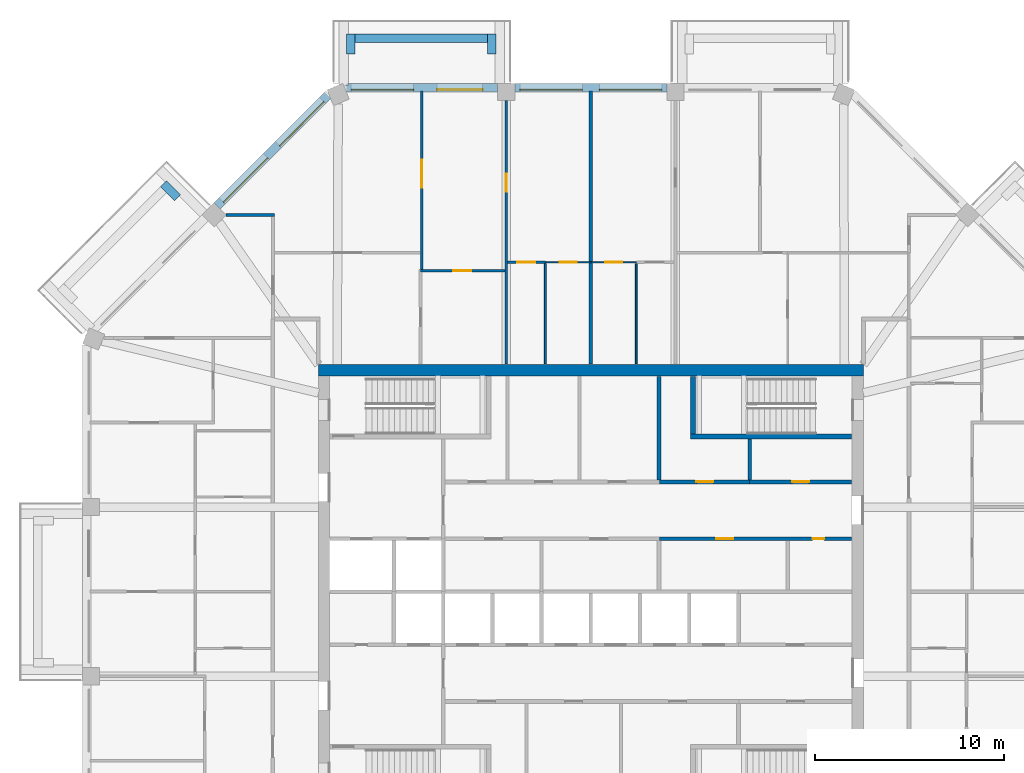
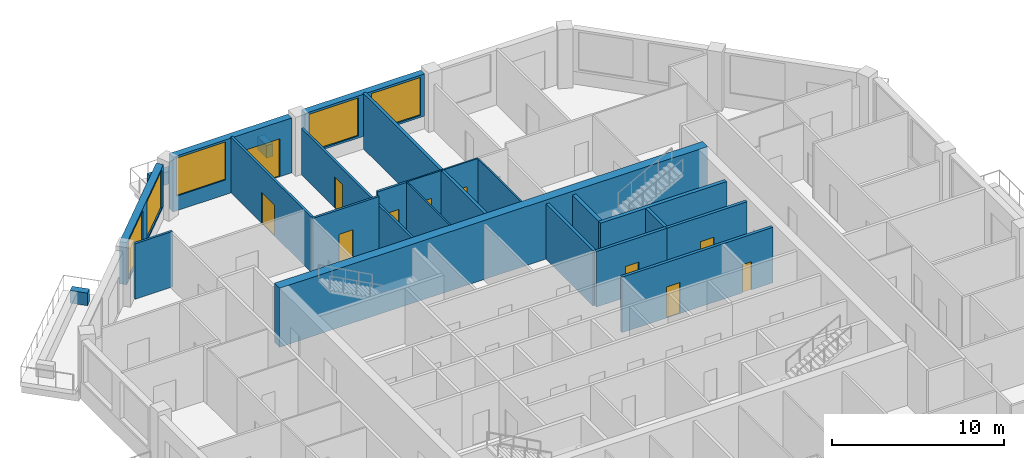
# One storey, part 8 of 12: 25 walls, 11 doors, 5 windows, 16 openings.
"""IFC4 building model written with IfcOpenShell, lengths in metres."""

from ifc_helpers import new_model, si_unit, direction, frame, frame_2d, origin, place, context, subcontext, project, spatial, rectangle, extrude, material, layer, layer_set, type_object, element, fill, save


model = new_model("IFC4")

# Units and contexts
model_context = context("Model", 3, precision=1e-05, world=origin(), true_north=direction((0.0, 1.0)))
body_context = subcontext(model_context, "Body", "Model", "MODEL_VIEW")
ifc_project = project(units=[si_unit("LENGTHUNIT", "METRE"), si_unit("AREAUNIT", "SQUARE_METRE"), si_unit("VOLUMEUNIT", "CUBIC_METRE"), si_unit("PLANEANGLEUNIT", "RADIAN"), si_unit("MASSUNIT", "GRAM", prefix="KILO")], contexts=[model_context])

# Site, building, storey
site_placement = place(None, origin())
site = spatial("IfcSite", under=ifc_project, at=site_placement, CompositionType="ELEMENT")
building_placement = place(site_placement, origin())
building = spatial("IfcBuilding", under=site, at=building_placement, Name="Msitu Wima Residences", CompositionType="ELEMENT")
storey_placement = place(building_placement, frame((0.0, 0.0, 251.699951171875)))
storey = spatial("IfcBuildingStorey", under=building, at=storey_placement, Name="L58", CompositionType="ELEMENT", Elevation=251.699951171875)

# Walls
ifc_material_1 = material(Name="Facing brick")
ifc_layer_1 = layer(ifc_material_1, 0.06494140625, Name="Facing brick")
ifc_material_2 = material(Name="Concrete C40/50", Category="concrete")
ifc_layer_2 = layer(ifc_material_2, 0.156005859375, Name="Concrete C40/50")
ifc_material_3 = material(Name="Waterproofing membrane")
ifc_layer_3 = layer(ifc_material_3, 0.00390625, Name="Waterproofing membrane")
ifc_material_4 = material(Name="Planting soil and planting")
ifc_layer_4 = layer(ifc_material_4, 0.22509765625, Name="Planting soil and planting")
ifc_layer_set_1 = layer_set([ifc_layer_1, ifc_layer_2, ifc_layer_3, ifc_layer_4], Name="Concrete C40/50")
wall_type_1 = type_object("IfcWallType", Name="Balcony planter PLANTER PL450", PredefinedType="USERDEFINED", material=ifc_layer_set_1)
wall_1_placement = place(storey_placement, frame((-5.468505859375, 29.22509765625, 0.0), z_axis=(0.0, 0.0, 1.0), x_axis=(-1.0, 0.0, 0.0)))
element("IfcWall", 1, at=wall_1_placement, inside=storey, type_object=wall_type_1, Name="Balcony planter N2 L58", ObjectType="PLANTER", PredefinedType="USERDEFINED", context=body_context, shape_type="SweptSolid", body=[
    extrude(rectangle(XDim=6.9873046875, YDim=0.449951171875, at=frame_2d((3.49365234375, 0.0))), origin(), (0.0, 0.0, 1.0), 0.900146484375),
])
for number, where, z_axis, x_axis, name in (
    (2, (-5.24365234375, 28.39990234375, 0.0), (0.0, 0.0, 1.0), (0.0, 1.0, 0.0), "Balcony planter N2 L58"),
    (3, (-12.680908203125, 28.39990234375, 0.0), (0.0, 0.0, 1.0), (0.0, 1.0, 0.0), "Balcony planter N2 L58"),
    (4, (-21.829833984375, 20.804443359375, 0.0), (0.0, 0.0, 1.0), (-0.707106781187, 0.707106781187, 0.0), "Balcony planter NW1 L58"),
):
    element("IfcWall", number, at=place(storey_placement, frame(where, z_axis=z_axis, x_axis=x_axis)), inside=storey, type_object=wall_type_1, Name=name, ObjectType="PLANTER", PredefinedType="USERDEFINED", context=body_context, shape_type="SweptSolid", body=[
        extrude(rectangle(XDim=1.050048828125, YDim=0.449951171875, at=frame_2d((0.52490234375, 0.0))), origin(), (0.0, 0.0, 1.0), 0.900146484375),
    ])

# Wall, openings, windows
ifc_material_5 = material(Name="Brick (red buff mix)", Category="masonry")
ifc_layer_5 = layer(ifc_material_5, 0.449951171875)
ifc_layer_set_2 = layer_set([ifc_layer_5], Name="Brick (red buff mix)")
wall_type_2 = type_object("IfcWallType", Name="Brick infill wall BW450", PredefinedType="SOLIDWALL", material=ifc_layer_set_2)
wall_2_placement = place(storey_placement, frame((4.0185546875, 26.625, 0.900146484375), z_axis=(0.0, 0.0, 1.0), x_axis=(-1.0, 0.0, 0.0)))
wall_2 = element("IfcWall", 5, at=wall_2_placement, inside=storey, type_object=wall_type_2, Name="Brick infill wall L58 N1", PredefinedType="SOLIDWALL", context=body_context, shape_type="SweptSolid", body=[
    extrude(rectangle(XDim=8.037109375, YDim=0.449951171875, at=frame_2d((4.0185546875, 0.0))), origin(), (0.0, 0.0, 1.0), 3.0),
])
opening_1_placement = place(wall_2_placement, frame((0.2685546875, 0.0, 0.14990234375)))
opening_1 = element("IfcOpeningElement", 6, at=opening_1_placement, cuts=wall_2, Name="Opening W57-59.007", PredefinedType="OPENING", context=body_context, shape_type="SweptSolid", body=[
    extrude(rectangle(XDim=3.300048828125, YDim=2.699951171875, at=frame_2d((1.64990234375, 1.35009765625))), frame((0.0, 0.23486328125, 0.0), z_axis=(0.0, -1.0, 0.0), x_axis=(1.0, 0.0, 0.0)), (0.0, 0.0, 1.0), 0.469970703125),
])
opening_2_placement = place(wall_2_placement, frame((4.46875, 0.0, 0.14990234375)))
opening_2 = element("IfcOpeningElement", 7, at=opening_2_placement, cuts=wall_2, Name="Opening W57-59.008", PredefinedType="OPENING", context=body_context, shape_type="SweptSolid", body=[
    extrude(rectangle(XDim=3.300048828125, YDim=2.699951171875, at=frame_2d((1.64990234375, 1.35009765625))), frame((0.0, 0.23486328125, 0.0), z_axis=(0.0, -1.0, 0.0), x_axis=(1.0, 0.0, 0.0)), (0.0, 0.0, 1.0), 0.469970703125),
])
ifc_material_6 = material(Name="Anodised aluminium, bronze finish, clear low-emissivity double glazing", Category="aluminium")
window_type = type_object("IfcWindowType", Name="Window W3300x2700", PartitioningType="DOUBLE_PANEL_VERTICAL", PredefinedType="WINDOW", material=ifc_material_6)
window_1_placement = place(opening_1_placement, origin())
window_1 = element("IfcWindow", 8, at=window_1_placement, inside=storey, type_object=window_type, Name="Window L58 N1.1", OverallHeight=2.699951171875, OverallWidth=3.300048828125, PartitioningType="SINGLE_PANEL", PredefinedType="WINDOW", context=body_context, shape_type="SweptSolid", body=[
    extrude(rectangle(XDim=3.300048828125, YDim=2.699951171875, at=frame_2d((1.64990234375, 1.35009765625))), frame((0.0, 0.135009765625, 0.0), z_axis=(0.0, -1.0, 0.0), x_axis=(1.0, 0.0, 0.0)), (0.0, 0.0, 1.0), 0.06005859375),
])
fill(opening_1, window_1)
window_2_placement = place(opening_2_placement, origin())
window_2 = element("IfcWindow", 9, at=window_2_placement, inside=storey, type_object=window_type, Name="Window L58 N1.2", OverallHeight=2.699951171875, OverallWidth=3.300048828125, PartitioningType="SINGLE_PANEL", PredefinedType="WINDOW", context=body_context, shape_type="SweptSolid", body=[
    extrude(rectangle(XDim=3.300048828125, YDim=2.699951171875, at=frame_2d((1.64990234375, 1.35009765625))), frame((0.0, 0.135009765625, 0.0), z_axis=(0.0, -1.0, 0.0), x_axis=(1.0, 0.0, 0.0)), (0.0, 0.0, 1.0), 0.06005859375),
])
fill(opening_2, window_2)

# Wall, openings, door, window
wall_3_placement = place(storey_placement, frame((-4.918701171875, 26.625, 0.0), z_axis=(0.0, 0.0, 1.0), x_axis=(-1.0, 0.0, 0.0)))
wall_3 = element("IfcWall", 10, at=wall_3_placement, inside=storey, type_object=wall_type_2, Name="Brick infill wall L58 N2", PredefinedType="SOLIDWALL", context=body_context, shape_type="SweptSolid", body=[
    extrude(rectangle(XDim=8.0, YDim=0.449951171875, at=frame_2d((4.0, 0.0))), origin(), (0.0, 0.0, 1.0), 3.900146484375),
])
opening_3_placement = place(wall_3_placement, frame((0.800048828125, 0.0, 0.0)))
opening_3 = element("IfcOpeningElement", 11, at=opening_3_placement, cuts=wall_3, Name="Opening D57-59.003", PredefinedType="OPENING", context=body_context, shape_type="SweptSolid", body=[
    extrude(rectangle(XDim=2.39990234375, YDim=2.699951171875, at=frame_2d((1.199951171875, 1.35009765625))), frame((0.0, 0.23486328125, 0.0), z_axis=(0.0, -1.0, 0.0), x_axis=(1.0, 0.0, 0.0)), (0.0, 0.0, 1.0), 0.469970703125),
])
opening_4_placement = place(wall_3_placement, frame((4.4501953125, 0.0, 1.050048828125)))
opening_4 = element("IfcOpeningElement", 12, at=opening_4_placement, cuts=wall_3, Name="Opening W57-59.009", PredefinedType="OPENING", context=body_context, shape_type="SweptSolid", body=[
    extrude(rectangle(XDim=3.300048828125, YDim=2.699951171875, at=frame_2d((1.64990234375, 1.35009765625))), frame((0.0, 0.23486328125, 0.0), z_axis=(0.0, -1.0, 0.0), x_axis=(1.0, 0.0, 0.0)), (0.0, 0.0, 1.0), 0.469970703125),
])
door_type_1 = type_object("IfcDoorType", Name="Balcony door D2400x2700", OperationType="SLIDING_TO_LEFT", PredefinedType="DOOR", material=ifc_material_6)
door_1_placement = place(opening_3_placement, origin())
door_1 = element("IfcDoor", 13, at=door_1_placement, inside=storey, type_object=door_type_1, Name="Balcony door L58 N2", OperationType="SINGLE_SWING_LEFT", OverallHeight=2.699951171875, OverallWidth=2.39990234375, PredefinedType="DOOR", context=body_context, shape_type="SweptSolid", body=[
    extrude(rectangle(XDim=2.39990234375, YDim=2.699951171875, at=frame_2d((1.199951171875, 1.35009765625))), frame((0.0, 0.1298828125, 0.0), z_axis=(0.0, -1.0, 0.0), x_axis=(1.0, 0.0, 0.0)), (0.0, 0.0, 1.0), 0.050048828125),
])
fill(opening_3, door_1)
window_3_placement = place(opening_4_placement, origin())
window_3 = element("IfcWindow", 14, at=window_3_placement, inside=storey, type_object=window_type, Name="Window L58 N2.2", OverallHeight=2.699951171875, OverallWidth=3.300048828125, PartitioningType="SINGLE_PANEL", PredefinedType="WINDOW", context=body_context, shape_type="SweptSolid", body=[
    extrude(rectangle(XDim=3.300048828125, YDim=2.699951171875, at=frame_2d((1.64990234375, 1.35009765625))), frame((0.0, 0.135009765625, 0.0), z_axis=(0.0, -1.0, 0.0), x_axis=(1.0, 0.0, 0.0)), (0.0, 0.0, 1.0), 0.06005859375),
])
fill(opening_4, window_3)

# Wall, openings, windows
wall_4_placement = place(storey_placement, frame((-13.909423828125, 26.214599609375, 0.900146484375), z_axis=(0.0, 0.0, 1.0), x_axis=(-0.707106781187, -0.707106781187, 0.0)))
wall_4 = element("IfcWall", 15, at=wall_4_placement, inside=storey, type_object=wall_type_2, Name="Brick infill wall L58 NW0", PredefinedType="SOLIDWALL", context=body_context, shape_type="SweptSolid", body=[
    extrude(rectangle(XDim=8.251220703125, YDim=0.449951171875, at=frame_2d((4.12548828125, 0.0))), origin(), (0.0, 0.0, 1.0), 3.0),
])
opening_5_placement = place(wall_4_placement, frame((0.37548828125, 0.0, 0.14990234375)))
opening_5 = element("IfcOpeningElement", 16, at=opening_5_placement, cuts=wall_4, Name="Opening W57-59.013", PredefinedType="OPENING", context=body_context, shape_type="SweptSolid", body=[
    extrude(rectangle(XDim=3.300048828125, YDim=2.699951171875, at=frame_2d((1.64990234375, 1.35009765625))), frame((0.0, 0.23486328125, 0.0), z_axis=(0.0, -1.0, 0.0), x_axis=(1.0, 0.0, 0.0)), (0.0, 0.0, 1.0), 0.469970703125),
])
opening_6_placement = place(wall_4_placement, frame((4.57568359375, 0.0, 0.14990234375)))
opening_6 = element("IfcOpeningElement", 17, at=opening_6_placement, cuts=wall_4, Name="Opening W57-59.014", PredefinedType="OPENING", context=body_context, shape_type="SweptSolid", body=[
    extrude(rectangle(XDim=3.300048828125, YDim=2.699951171875, at=frame_2d((1.64990234375, 1.35009765625))), frame((0.0, 0.23486328125, 0.0), z_axis=(0.0, -1.0, 0.0), x_axis=(1.0, 0.0, 0.0)), (0.0, 0.0, 1.0), 0.469970703125),
])
window_4_placement = place(opening_5_placement, origin())
window_4 = element("IfcWindow", 18, at=window_4_placement, inside=storey, type_object=window_type, Name="Window L58 NW0.1", OverallHeight=2.699951171875, OverallWidth=3.300048828125, PartitioningType="SINGLE_PANEL", PredefinedType="WINDOW", context=body_context, shape_type="SweptSolid", body=[
    extrude(rectangle(XDim=3.300048828125, YDim=2.699951171875, at=frame_2d((1.64990234375, 1.35009765625))), frame((0.0, 0.135009765625, 0.0), z_axis=(0.0, -1.0, 0.0), x_axis=(1.0, 0.0, 0.0)), (0.0, 0.0, 1.0), 0.06005859375),
])
fill(opening_5, window_4)
window_5_placement = place(opening_6_placement, origin())
window_5 = element("IfcWindow", 19, at=window_5_placement, inside=storey, type_object=window_type, Name="Window L58 NW0.2", OverallHeight=2.699951171875, OverallWidth=3.300048828125, PartitioningType="SINGLE_PANEL", PredefinedType="WINDOW", context=body_context, shape_type="SweptSolid", body=[
    extrude(rectangle(XDim=3.300048828125, YDim=2.699951171875, at=frame_2d((1.64990234375, 1.35009765625))), frame((0.0, 0.135009765625, 0.0), z_axis=(0.0, -1.0, 0.0), x_axis=(1.0, 0.0, 0.0)), (0.0, 0.0, 1.0), 0.06005859375),
])
fill(opening_6, window_5)

# Wall
ifc_material_7 = material(Name="Concrete C50/60", Category="concrete")
ifc_layer_6 = layer(ifc_material_7, 0.60009765625)
ifc_layer_set_3 = layer_set([ifc_layer_6], Name="Concrete C50/60")
wall_type_3 = type_object("IfcWallType", Name="Core wall CW600 C50/60", PredefinedType="SHEAR", material=ifc_layer_set_3)
wall_5_placement = place(storey_placement, frame((-14.39990234375, 11.699951171875, 0.0), z_axis=(0.0, 0.0, 1.0), x_axis=(1.0, 0.0, 0.0)))
element("IfcWall", 20, at=wall_5_placement, inside=storey, type_object=wall_type_3, Name="Core wall", PredefinedType="SHEAR", context=body_context, shape_type="SweptSolid", body=[
    extrude(rectangle(XDim=28.7998046875, YDim=0.60009765625, at=frame_2d((14.39990234375, 0.0))), origin(), (0.0, 0.0, 1.0), 4.199951171875),
])

# Wall, opening, door
ifc_material_8 = material(Name="Plaster")
ifc_layer_7 = layer(ifc_material_8, 0.011962890625, Name="Plaster")
ifc_material_9 = material(Name="Concrete blockwork", Category="masonry")
ifc_layer_8 = layer(ifc_material_9, 0.176025390625, Name="Concrete blockwork")
ifc_layer_9 = layer(ifc_material_8, 0.011962890625, Name="Plaster")
ifc_layer_set_4 = layer_set([ifc_layer_7, ifc_layer_8, ifc_layer_9], Name="Concrete blockwork")
wall_type_4 = type_object("IfcWallType", Name="Corridor wall FW200", PredefinedType="PARTITIONING", material=ifc_layer_set_4)
wall_6_placement = place(storey_placement, frame((8.3798828125, 5.800048828125, 0.0), z_axis=(0.0, 0.0, 1.0), x_axis=(1.0, 0.0, 0.0)))
wall_6 = element("IfcWall", 21, at=wall_6_placement, inside=storey, type_object=wall_type_4, Name="Corridor wall", PredefinedType="PARTITIONING", context=body_context, shape_type="SweptSolid", body=[
    extrude(rectangle(XDim=5.39013671875, YDim=0.199951171875, at=frame_2d((2.695068359375, 0.0))), origin(), (0.0, 0.0, 1.0), 3.949951171875),
])
opening_7_placement = place(wall_6_placement, frame((2.25, 0.0, 0.0)))
opening_7 = element("IfcOpeningElement", 22, at=opening_7_placement, cuts=wall_6, Name="Opening D57-59.072", PredefinedType="OPENING", context=body_context, shape_type="SweptSolid", body=[
    extrude(rectangle(XDim=0.89990234375, YDim=2.199951171875, at=frame_2d((0.449951171875, 1.10009765625))), frame((0.0, 0.10986328125, 0.0), z_axis=(0.0, -1.0, 0.0), x_axis=(1.0, 0.0, 0.0)), (0.0, 0.0, 1.0), 0.219970703125),
])
ifc_material_10 = material(Name="Timber flush door", Category="wood")
door_type_2 = type_object("IfcDoorType", Name="Service door D05 900x2200", OperationType="SINGLE_SWING_LEFT", PredefinedType="DOOR", material=ifc_material_10)
door_2_placement = place(opening_7_placement, origin())
door_2 = element("IfcDoor", 23, at=door_2_placement, inside=storey, type_object=door_type_2, Name="Service door", OperationType="SINGLE_SWING_LEFT", OverallHeight=2.199951171875, OverallWidth=0.89990234375, PredefinedType="DOOR", context=body_context, shape_type="SweptSolid", body=[
    extrude(rectangle(XDim=0.89990234375, YDim=2.199951171875, at=frame_2d((0.449951171875, 1.10009765625))), frame((0.0, 0.02490234375, 0.0), z_axis=(0.0, -1.0, 0.0), x_axis=(1.0, 0.0, 0.0)), (0.0, 0.0, 1.0), 0.050048828125),
])
fill(opening_7, door_2)

# Wall
ifc_layer_10 = layer(ifc_material_8, 0.011962890625, Name="Plaster")
ifc_layer_11 = layer(ifc_material_9, 0.1259765625, Name="Concrete blockwork")
ifc_layer_12 = layer(ifc_material_8, 0.011962890625, Name="Plaster")
ifc_layer_set_5 = layer_set([ifc_layer_10, ifc_layer_11, ifc_layer_12], Name="Concrete blockwork")
wall_type_5 = type_object("IfcWallType", Name="Partition PW150", PredefinedType="PARTITIONING", material=ifc_layer_set_5)
wall_7_placement = place(storey_placement, frame((-19.2666015625, 19.90283203125, 0.0), z_axis=(0.0, 0.0, 1.0), x_axis=(1.0, 0.0, 0.0)))
element("IfcWall", 24, at=wall_7_placement, inside=storey, type_object=wall_type_5, Name="Partition", PredefinedType="PARTITIONING", context=body_context, shape_type="SweptSolid", body=[
    extrude(rectangle(XDim=2.54150390625, YDim=0.14990234375, at=frame_2d((1.270751953125, 0.0))), origin(), (0.0, 0.0, 1.0), 3.949951171875),
])

# Wall, opening, door
wall_8_placement = place(storey_placement, frame((-8.937255859375, 17.02490234375, 0.0), z_axis=(0.0, 0.0, 1.0), x_axis=(0.0, 1.0, 0.0)))
wall_8 = element("IfcWall", 25, at=wall_8_placement, inside=storey, type_object=wall_type_5, Name="Partition", PredefinedType="PARTITIONING", context=body_context, shape_type="SweptSolid", body=[
    extrude(rectangle(XDim=9.43017578125, YDim=0.14990234375, at=frame_2d((4.715087890625, 0.0))), origin(), (0.0, 0.0, 1.0), 3.949951171875),
])
opening_8_placement = place(wall_8_placement, frame((4.300048828125, 0.0, 0.0)))
opening_8 = element("IfcOpeningElement", 26, at=opening_8_placement, cuts=wall_8, Name="Opening D57-59.035", PredefinedType="OPENING", context=body_context, shape_type="SweptSolid", body=[
    extrude(rectangle(XDim=1.5, YDim=2.199951171875, at=frame_2d((0.75, 1.10009765625))), frame((0.0, 0.0849609375, 0.0), z_axis=(0.0, -1.0, 0.0), x_axis=(1.0, 0.0, 0.0)), (0.0, 0.0, 1.0), 0.169921875),
])
ifc_material_11 = material(Name="Timber double door", Category="wood")
door_type_3 = type_object("IfcDoorType", Name="Double door D04 1500x2200", OperationType="DOUBLE_DOOR_SINGLE_SWING", PredefinedType="DOOR", material=ifc_material_11)
door_3_placement = place(opening_8_placement, origin())
door_3 = element("IfcDoor", 27, at=door_3_placement, inside=storey, type_object=door_type_3, Name="Double door", OperationType="DOUBLE_DOOR_SINGLE_SWING", OverallHeight=2.199951171875, OverallWidth=1.5, PredefinedType="DOOR", context=body_context, shape_type="SweptSolid", body=[
    extrude(rectangle(XDim=1.5, YDim=2.199951171875, at=frame_2d((0.75, 1.10009765625))), frame((0.0, 0.02490234375, 0.0), z_axis=(0.0, -1.0, 0.0), x_axis=(1.0, 0.0, 0.0)), (0.0, 0.0, 1.0), 0.050048828125),
])
fill(opening_8, door_3)

wall_9_placement = place(storey_placement, frame((-9.01220703125, 16.949951171875, 0.0), z_axis=(0.0, 0.0, 1.0), x_axis=(1.0, 0.0, 0.0)))
wall_9 = element("IfcWall", 28, at=wall_9_placement, inside=storey, type_object=wall_type_5, Name="Partition", PredefinedType="PARTITIONING", context=body_context, shape_type="SweptSolid", body=[
    extrude(rectangle(XDim=4.468505859375, YDim=0.14990234375, at=frame_2d((2.234375, 0.0))), origin(), (0.0, 0.0, 1.0), 3.949951171875),
])
opening_9_placement = place(wall_9_placement, frame((1.75, 0.0, 0.0)))
opening_9 = element("IfcOpeningElement", 29, at=opening_9_placement, cuts=wall_9, Name="Opening D57-59.042", PredefinedType="OPENING", context=body_context, shape_type="SweptSolid", body=[
    extrude(rectangle(XDim=0.949951171875, YDim=2.199951171875, at=frame_2d((0.47509765625, 1.10009765625))), frame((0.0, 0.0849609375, 0.0), z_axis=(0.0, -1.0, 0.0), x_axis=(1.0, 0.0, 0.0)), (0.0, 0.0, 1.0), 0.169921875),
])
door_type_4 = type_object("IfcDoorType", Name="Room door D12 950x2200", OperationType="SINGLE_SWING_LEFT", PredefinedType="DOOR", material=ifc_material_10)
door_4_placement = place(opening_9_placement, origin())
door_4 = element("IfcDoor", 30, at=door_4_placement, inside=storey, type_object=door_type_4, Name="Room door", OperationType="SINGLE_SWING_LEFT", OverallHeight=2.199951171875, OverallWidth=0.949951171875, PredefinedType="DOOR", context=body_context, shape_type="SweptSolid", body=[
    extrude(rectangle(XDim=0.949951171875, YDim=2.199951171875, at=frame_2d((0.47509765625, 1.10009765625))), frame((0.0, 0.02490234375, 0.0), z_axis=(0.0, -1.0, 0.0), x_axis=(1.0, 0.0, 0.0)), (0.0, 0.0, 1.0), 0.050048828125),
])
fill(opening_9, door_4)

wall_10_placement = place(storey_placement, frame((-4.46875, 12.030029296875, 0.0), z_axis=(0.0, 0.0, 1.0), x_axis=(0.0, 1.0, 0.0)))
wall_10 = element("IfcWall", 31, at=wall_10_placement, inside=storey, type_object=wall_type_5, Name="Partition", PredefinedType="PARTITIONING", context=body_context, shape_type="SweptSolid", body=[
    extrude(rectangle(XDim=13.919921875, YDim=0.14990234375, at=frame_2d((6.9599609375, 0.0))), origin(), (0.0, 0.0, 1.0), 3.300048828125),
])
opening_10_placement = place(wall_10_placement, frame((9.10009765625, 0.0, 0.0)))
opening_10 = element("IfcOpeningElement", 32, at=opening_10_placement, cuts=wall_10, Name="Opening D57-59.039", PredefinedType="OPENING", context=body_context, shape_type="SweptSolid", body=[
    extrude(rectangle(XDim=0.949951171875, YDim=2.199951171875, at=frame_2d((0.47509765625, 1.10009765625))), frame((0.0, 0.0849609375, 0.0), z_axis=(0.0, -1.0, 0.0), x_axis=(1.0, 0.0, 0.0)), (0.0, 0.0, 1.0), 0.169921875),
])
door_5_placement = place(opening_10_placement, origin())
door_5 = element("IfcDoor", 33, at=door_5_placement, inside=storey, type_object=door_type_4, Name="Room door", OperationType="SINGLE_SWING_RIGHT", OverallHeight=2.199951171875, OverallWidth=0.949951171875, PredefinedType="DOOR", context=body_context, shape_type="SweptSolid", body=[
    extrude(rectangle(XDim=0.949951171875, YDim=2.199951171875, at=frame_2d((0.47509765625, 1.10009765625))), frame((0.0, 0.02490234375, 0.0), z_axis=(0.0, -1.0, 0.0), x_axis=(1.0, 0.0, 0.0)), (0.0, 0.0, 1.0), 0.050048828125),
])
fill(opening_10, door_5)

wall_11_placement = place(storey_placement, frame((-4.3935546875, 17.39990234375, 0.0), z_axis=(0.0, 0.0, 1.0), x_axis=(1.0, 0.0, 0.0)))
wall_11 = element("IfcWall", 34, at=wall_11_placement, inside=storey, type_object=wall_type_5, Name="Partition", PredefinedType="PARTITIONING", context=body_context, shape_type="SweptSolid", body=[
    extrude(rectangle(XDim=1.99365234375, YDim=0.14990234375, at=frame_2d((0.996826171875, 0.0))), origin(), (0.0, 0.0, 1.0), 3.949951171875),
])
opening_11_placement = place(wall_11_placement, frame((0.5, 0.0, 0.0)))
opening_11 = element("IfcOpeningElement", 35, at=opening_11_placement, cuts=wall_11, Name="Opening D57-59.041", PredefinedType="OPENING", context=body_context, shape_type="SweptSolid", body=[
    extrude(rectangle(XDim=0.949951171875, YDim=2.199951171875, at=frame_2d((0.47509765625, 1.10009765625))), frame((0.0, 0.0849609375, 0.0), z_axis=(0.0, -1.0, 0.0), x_axis=(1.0, 0.0, 0.0)), (0.0, 0.0, 1.0), 0.169921875),
])
door_6_placement = place(opening_11_placement, origin())
door_6 = element("IfcDoor", 36, at=door_6_placement, inside=storey, type_object=door_type_4, Name="Room door", OperationType="SINGLE_SWING_LEFT", OverallHeight=2.199951171875, OverallWidth=0.949951171875, PredefinedType="DOOR", context=body_context, shape_type="SweptSolid", body=[
    extrude(rectangle(XDim=0.949951171875, YDim=2.199951171875, at=frame_2d((0.47509765625, 1.10009765625))), frame((0.0, 0.02490234375, 0.0), z_axis=(0.0, -1.0, 0.0), x_axis=(1.0, 0.0, 0.0)), (0.0, 0.0, 1.0), 0.050048828125),
])
fill(opening_11, door_6)

# Wall
ifc_layer_13 = layer(ifc_material_8, 0.011962890625, Name="Plaster")
ifc_material_12 = material(Name="Dense concrete blockwork", Category="masonry")
ifc_layer_14 = layer(ifc_material_12, 0.176025390625, Name="Dense concrete blockwork")
ifc_layer_15 = layer(ifc_material_8, 0.011962890625, Name="Plaster")
ifc_layer_set_6 = layer_set([ifc_layer_13, ifc_layer_14, ifc_layer_15], Name="Dense concrete blockwork")
wall_type_6 = type_object("IfcWallType", Name="Party wall PW200", PredefinedType="PARTITIONING", material=ifc_layer_set_6)
wall_12_placement = place(storey_placement, frame((0.0, 12.030029296875, 0.0), z_axis=(0.0, 0.0, 1.0), x_axis=(0.0, 1.0, 0.0)))
element("IfcWall", 37, at=wall_12_placement, inside=storey, type_object=wall_type_6, Name="Party wall", PredefinedType="PARTITIONING", context=body_context, shape_type="SweptSolid", body=[
    extrude(rectangle(XDim=14.425048828125, YDim=0.199951171875, at=frame_2d((7.21240234375, 0.0))), origin(), (0.0, 0.0, 1.0), 3.949951171875),
])

# Wall, openings, doors
ifc_layer_16 = layer(ifc_material_8, 0.011962890625, Name="Plaster")
ifc_material_13 = material(Name="Reinforced concrete blockwork", Category="masonry")
ifc_layer_17 = layer(ifc_material_13, 0.176025390625, Name="Reinforced concrete blockwork")
ifc_layer_18 = layer(ifc_material_8, 0.011962890625, Name="Plaster")
ifc_layer_set_7 = layer_set([ifc_layer_16, ifc_layer_17, ifc_layer_18], Name="Reinforced concrete blockwork")
wall_type_7 = type_object("IfcWallType", Name="Plant and riser wall PL200", PredefinedType="PARTITIONING", material=ifc_layer_set_7)
wall_13_placement = place(storey_placement, frame((3.6201171875, 2.800048828125, 0.0), z_axis=(0.0, 0.0, 1.0), x_axis=(1.0, 0.0, 0.0)))
wall_13 = element("IfcWall", 38, at=wall_13_placement, inside=storey, type_object=wall_type_7, Name="Plant and riser wall", PredefinedType="PARTITIONING", context=body_context, shape_type="SweptSolid", body=[
    extrude(rectangle(XDim=10.14990234375, YDim=0.199951171875, at=frame_2d((5.074951171875, 0.0))), origin(), (0.0, 0.0, 1.0), 3.949951171875),
])
opening_12_placement = place(wall_13_placement, frame((8.10009765625, 0.0, 0.0)))
opening_12 = element("IfcOpeningElement", 39, at=opening_12_placement, cuts=wall_13, Name="Opening D57-59.082", PredefinedType="OPENING", context=body_context, shape_type="SweptSolid", body=[
    extrude(rectangle(XDim=0.60009765625, YDim=2.0, at=frame_2d((0.300048828125, 1.0))), frame((0.0, 0.10986328125, 0.0), z_axis=(0.0, -1.0, 0.0), x_axis=(1.0, 0.0, 0.0)), (0.0, 0.0, 1.0), 0.219970703125),
])
opening_13_placement = place(wall_13_placement, frame((3.0, 0.0, 0.0)))
opening_13 = element("IfcOpeningElement", 40, at=opening_13_placement, cuts=wall_13, Name="Opening D57-59.081", PredefinedType="OPENING", context=body_context, shape_type="SweptSolid", body=[
    extrude(rectangle(XDim=0.89990234375, YDim=2.199951171875, at=frame_2d((0.449951171875, 1.10009765625))), frame((0.0, 0.10986328125, 0.0), z_axis=(0.0, -1.0, 0.0), x_axis=(1.0, 0.0, 0.0)), (0.0, 0.0, 1.0), 0.219970703125),
])
ifc_material_14 = material(Name="Steel access door, fire resisting", Category="steel")
door_type_5 = type_object("IfcDoorType", Name="Riser access door D08 600x2000", OperationType="SINGLE_SWING_LEFT", PredefinedType="DOOR", material=ifc_material_14)
door_7_placement = place(opening_12_placement, origin())
door_7 = element("IfcDoor", 41, at=door_7_placement, inside=storey, type_object=door_type_5, Name="Riser access door", OperationType="SINGLE_SWING_RIGHT", OverallHeight=2.0, OverallWidth=0.60009765625, PredefinedType="DOOR", context=body_context, shape_type="SweptSolid", body=[
    extrude(rectangle(XDim=0.60009765625, YDim=2.0, at=frame_2d((0.300048828125, 1.0))), frame((0.0, 0.02490234375, 0.0), z_axis=(0.0, -1.0, 0.0), x_axis=(1.0, 0.0, 0.0)), (0.0, 0.0, 1.0), 0.050048828125),
])
fill(opening_12, door_7)
door_8_placement = place(opening_13_placement, origin())
door_8 = element("IfcDoor", 42, at=door_8_placement, inside=storey, type_object=door_type_2, Name="Service door", OperationType="SINGLE_SWING_LEFT", OverallHeight=2.199951171875, OverallWidth=0.89990234375, PredefinedType="DOOR", context=body_context, shape_type="SweptSolid", body=[
    extrude(rectangle(XDim=0.89990234375, YDim=2.199951171875, at=frame_2d((0.449951171875, 1.10009765625))), frame((0.0, 0.02490234375, 0.0), z_axis=(0.0, -1.0, 0.0), x_axis=(1.0, 0.0, 0.0)), (0.0, 0.0, 1.0), 0.050048828125),
])
fill(opening_13, door_8)

# Wall, opening, door
wall_14_placement = place(storey_placement, frame((3.6201171875, 5.800048828125, 0.0), z_axis=(0.0, 0.0, 1.0), x_axis=(1.0, 0.0, 0.0)))
wall_14 = element("IfcWall", 43, at=wall_14_placement, inside=storey, type_object=wall_type_7, Name="Plant and riser wall", PredefinedType="PARTITIONING", context=body_context, shape_type="SweptSolid", body=[
    extrude(rectangle(XDim=4.759765625, YDim=0.199951171875, at=frame_2d((2.3798828125, 0.0))), origin(), (0.0, 0.0, 1.0), 3.949951171875),
])
opening_14_placement = place(wall_14_placement, frame((1.949951171875, 0.0, 0.0)))
opening_14 = element("IfcOpeningElement", 44, at=opening_14_placement, cuts=wall_14, Name="Opening D57-59.071", PredefinedType="OPENING", context=body_context, shape_type="SweptSolid", body=[
    extrude(rectangle(XDim=0.89990234375, YDim=2.199951171875, at=frame_2d((0.449951171875, 1.10009765625))), frame((0.0, 0.10986328125, 0.0), z_axis=(0.0, -1.0, 0.0), x_axis=(1.0, 0.0, 0.0)), (0.0, 0.0, 1.0), 0.219970703125),
])
door_9_placement = place(opening_14_placement, origin())
door_9 = element("IfcDoor", 45, at=door_9_placement, inside=storey, type_object=door_type_2, Name="Service door", OperationType="SINGLE_SWING_RIGHT", OverallHeight=2.199951171875, OverallWidth=0.89990234375, PredefinedType="DOOR", context=body_context, shape_type="SweptSolid", body=[
    extrude(rectangle(XDim=0.89990234375, YDim=2.199951171875, at=frame_2d((0.449951171875, 1.10009765625))), frame((0.0, 0.02490234375, 0.0), z_axis=(0.0, -1.0, 0.0), x_axis=(1.0, 0.0, 0.0)), (0.0, 0.0, 1.0), 0.050048828125),
])
fill(opening_14, door_9)

# Walls
wall_15_placement = place(storey_placement, frame((3.60009765625, 5.89990234375, 0.0), z_axis=(0.0, 0.0, 1.0), x_axis=(0.0, 1.0, 0.0)))
element("IfcWall", 46, at=wall_15_placement, inside=storey, type_object=wall_type_7, Name="Plant and riser wall", PredefinedType="PARTITIONING", context=body_context, shape_type="SweptSolid", body=[
    extrude(rectangle(XDim=5.47021484375, YDim=0.199951171875, at=frame_2d((2.735107421875, 0.0))), origin(), (0.0, 0.0, 1.0), 3.949951171875),
])
wall_16_placement = place(storey_placement, frame((8.39990234375, 5.89990234375, 0.0), z_axis=(0.0, 0.0, 1.0), x_axis=(0.0, 1.0, 0.0)))
element("IfcWall", 47, at=wall_16_placement, inside=storey, type_object=wall_type_7, Name="Plant and riser wall", PredefinedType="PARTITIONING", context=body_context, shape_type="SweptSolid", body=[
    extrude(rectangle(XDim=2.175048828125, YDim=0.199951171875, at=frame_2d((1.08740234375, 0.0))), origin(), (0.0, 0.0, 1.0), 3.949951171875),
])
ifc_layer_19 = layer(ifc_material_7, 0.25)
ifc_layer_set_8 = layer_set([ifc_layer_19], Name="Concrete C50/60")
wall_type_8 = type_object("IfcWallType", Name="Stair enclosure wall SW250", PredefinedType="SHEAR", material=ifc_layer_set_8)
wall_17_placement = place(storey_placement, frame((5.39990234375, 8.324951171875, 0.0), z_axis=(0.0, 0.0, 1.0), x_axis=(0.0, 1.0, 0.0)))
element("IfcWall", 48, at=wall_17_placement, inside=storey, type_object=wall_type_8, Name="Stair enclosure wall", PredefinedType="SHEAR", context=body_context, shape_type="SweptSolid", body=[
    extrude(rectangle(XDim=3.045166015625, YDim=0.25, at=frame_2d((1.5224609375, 0.0))), origin(), (0.0, 0.0, 1.0), 3.949951171875),
])
wall_18_placement = place(storey_placement, frame((5.27490234375, 8.199951171875, 0.0), z_axis=(0.0, 0.0, 1.0), x_axis=(1.0, 0.0, 0.0)))
element("IfcWall", 49, at=wall_18_placement, inside=storey, type_object=wall_type_8, Name="Stair enclosure wall", PredefinedType="SHEAR", context=body_context, shape_type="SweptSolid", body=[
    extrude(rectangle(XDim=8.4951171875, YDim=0.25, at=frame_2d((4.24755859375, 0.0))), origin(), (0.0, 0.0, 1.0), 3.949951171875),
])
ifc_material_15 = material(Name="Ceramic tiles")
ifc_layer_20 = layer(ifc_material_15, 0.008056640625, Name="Ceramic tiles")
ifc_material_16 = material(Name="Moisture-resistant board")
ifc_layer_21 = layer(ifc_material_16, 0.012451171875, Name="Moisture-resistant board")
ifc_material_17 = material(Name="Light-gauge stud framing with mineral wool")
ifc_layer_22 = layer(ifc_material_17, 0.06689453125, Name="Light-gauge stud framing with mineral wool")
ifc_layer_23 = layer(ifc_material_16, 0.012451171875, Name="Moisture-resistant board")
ifc_layer_set_9 = layer_set([ifc_layer_20, ifc_layer_21, ifc_layer_22, ifc_layer_23], Name="Light-gauge stud framing with mineral wool")
wall_type_9 = type_object("IfcWallType", Name="Wet wall PW100", PredefinedType="PARTITIONING", material=ifc_layer_set_9)
wall_19_placement = place(storey_placement, frame((-2.39990234375, 12.030029296875, 0.0), z_axis=(0.0, 0.0, 1.0), x_axis=(0.0, 1.0, 0.0)))
element("IfcWall", 50, at=wall_19_placement, inside=storey, type_object=wall_type_9, Name="Wet wall", PredefinedType="PARTITIONING", context=body_context, shape_type="SweptSolid", body=[
    extrude(rectangle(XDim=5.294921875, YDim=0.10009765625, at=frame_2d((2.6474609375, 0.0))), origin(), (0.0, 0.0, 1.0), 3.949951171875),
])

# Wall, opening, door
wall_20_placement = place(storey_placement, frame((-2.39990234375, 17.39990234375, 0.0), z_axis=(0.0, 0.0, 1.0), x_axis=(1.0, 0.0, 0.0)))
wall_20 = element("IfcWall", 51, at=wall_20_placement, inside=storey, type_object=wall_type_9, Name="Wet wall", PredefinedType="PARTITIONING", context=body_context, shape_type="SweptSolid", body=[
    extrude(rectangle(XDim=2.39990234375, YDim=0.10009765625, at=frame_2d((1.199951171875, 0.0))), origin(), (0.0, 0.0, 1.0), 3.949951171875),
])
opening_15_placement = place(wall_20_placement, frame((0.75, 0.0, 0.0)))
opening_15 = element("IfcOpeningElement", 52, at=opening_15_placement, cuts=wall_20, Name="Opening D57-59.040", PredefinedType="OPENING", context=body_context, shape_type="SweptSolid", body=[
    extrude(rectangle(XDim=0.89990234375, YDim=2.199951171875, at=frame_2d((0.449951171875, 1.10009765625))), frame((0.0, 0.06005859375, 0.0), z_axis=(0.0, -1.0, 0.0), x_axis=(1.0, 0.0, 0.0)), (0.0, 0.0, 1.0), 0.1201171875),
])
ifc_material_18 = material(Name="Timber flush door, moisture resistant", Category="wood")
door_type_6 = type_object("IfcDoorType", Name="Bathroom door D03 900x2200", OperationType="SINGLE_SWING_LEFT", PredefinedType="DOOR", material=ifc_material_18)
door_10_placement = place(opening_15_placement, origin())
door_10 = element("IfcDoor", 53, at=door_10_placement, inside=storey, type_object=door_type_6, Name="Bathroom door", OperationType="SINGLE_SWING_LEFT", OverallHeight=2.199951171875, OverallWidth=0.89990234375, PredefinedType="DOOR", context=body_context, shape_type="SweptSolid", body=[
    extrude(rectangle(XDim=0.89990234375, YDim=2.199951171875, at=frame_2d((0.449951171875, 1.10009765625))), frame((0.0, 0.02490234375, 0.0), z_axis=(0.0, -1.0, 0.0), x_axis=(1.0, 0.0, 0.0)), (0.0, 0.0, 1.0), 0.050048828125),
])
fill(opening_15, door_10)

wall_21_placement = place(storey_placement, frame((0.0, 17.39990234375, 0.0), z_axis=(0.0, 0.0, 1.0), x_axis=(1.0, 0.0, 0.0)))
wall_21 = element("IfcWall", 54, at=wall_21_placement, inside=storey, type_object=wall_type_9, Name="Wet wall", PredefinedType="PARTITIONING", context=body_context, shape_type="SweptSolid", body=[
    extrude(rectangle(XDim=2.39990234375, YDim=0.10009765625, at=frame_2d((1.199951171875, 0.0))), origin(), (0.0, 0.0, 1.0), 3.949951171875),
])
opening_16_placement = place(wall_21_placement, frame((0.75, 0.0, 0.0)))
opening_16 = element("IfcOpeningElement", 55, at=opening_16_placement, cuts=wall_21, Name="Opening D57-59.014", PredefinedType="OPENING", context=body_context, shape_type="SweptSolid", body=[
    extrude(rectangle(XDim=0.89990234375, YDim=2.199951171875, at=frame_2d((0.449951171875, 1.10009765625))), frame((0.0, 0.06005859375, 0.0), z_axis=(0.0, -1.0, 0.0), x_axis=(1.0, 0.0, 0.0)), (0.0, 0.0, 1.0), 0.1201171875),
])
door_11_placement = place(opening_16_placement, origin())
door_11 = element("IfcDoor", 56, at=door_11_placement, inside=storey, type_object=door_type_6, Name="Bathroom door", OperationType="SINGLE_SWING_RIGHT", OverallHeight=2.199951171875, OverallWidth=0.89990234375, PredefinedType="DOOR", context=body_context, shape_type="SweptSolid", body=[
    extrude(rectangle(XDim=0.89990234375, YDim=2.199951171875, at=frame_2d((0.449951171875, 1.10009765625))), frame((0.0, 0.02490234375, 0.0), z_axis=(0.0, -1.0, 0.0), x_axis=(1.0, 0.0, 0.0)), (0.0, 0.0, 1.0), 0.050048828125),
])
fill(opening_16, door_11)

# Wall
wall_22_placement = place(storey_placement, frame((2.39990234375, 12.030029296875, 0.0), z_axis=(0.0, 0.0, 1.0), x_axis=(0.0, 1.0, 0.0)))
element("IfcWall", 57, at=wall_22_placement, inside=storey, type_object=wall_type_9, Name="Wet wall", PredefinedType="PARTITIONING", context=body_context, shape_type="SweptSolid", body=[
    extrude(rectangle(XDim=5.294921875, YDim=0.10009765625, at=frame_2d((2.6474609375, 0.0))), origin(), (0.0, 0.0, 1.0), 3.949951171875),
])

save(model, "model.ifc")
